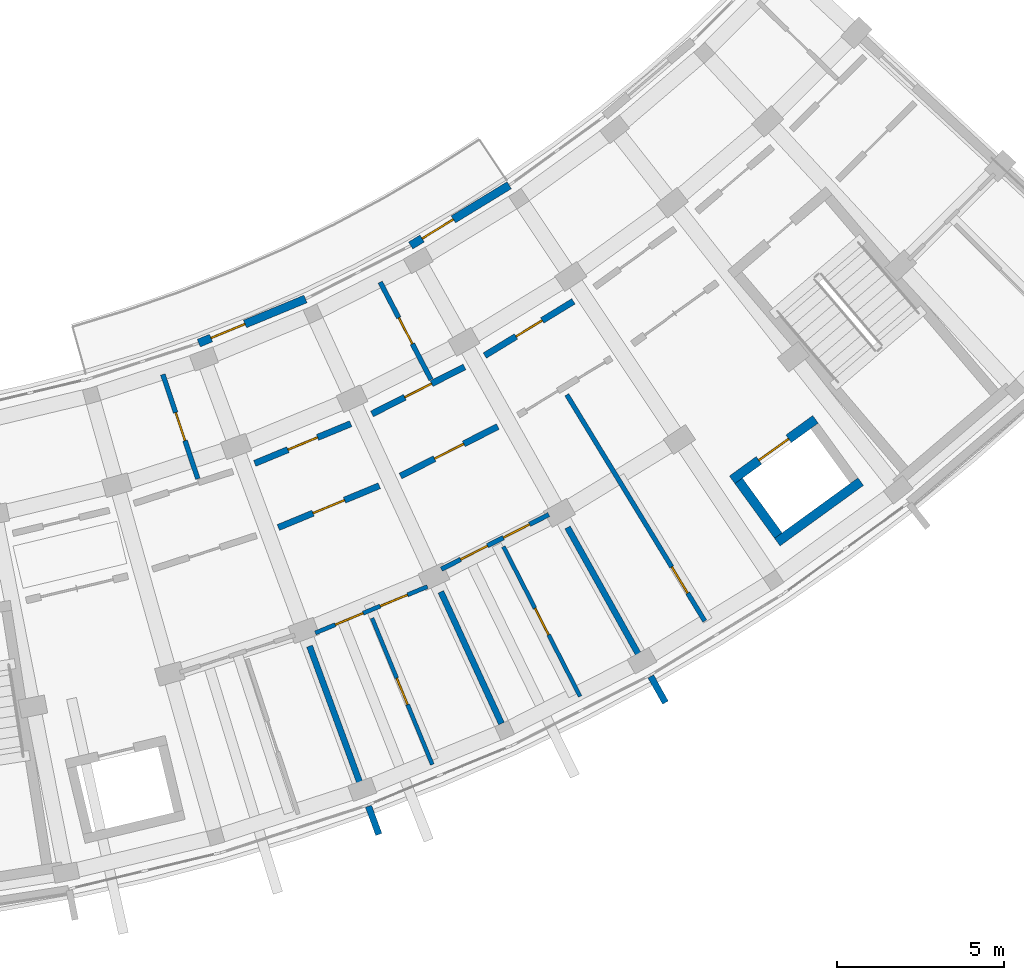
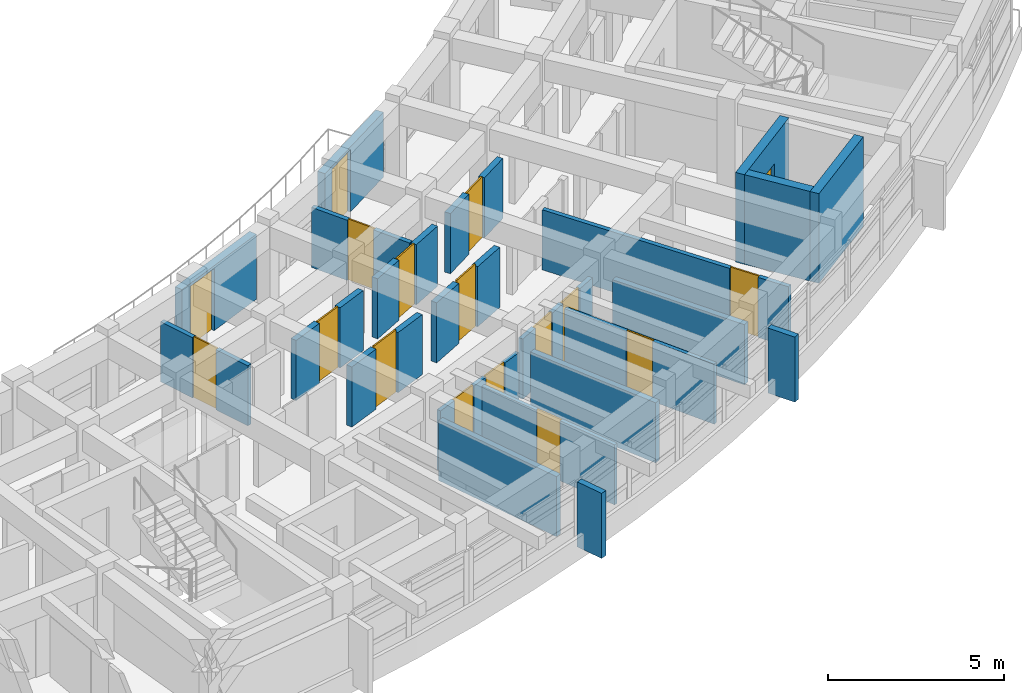
# One storey, part 38 of 56: 22 walls, 17 doors, 17 openings.
"""IFC4 building model written with IfcOpenShell, lengths in metres."""

from ifc_helpers import new_model, si_unit, direction, frame, frame_2d, origin, place, context, subcontext, project, spatial, rectangle, extrude, material, layer, layer_set, type_object, element, fill, save


model = new_model("IFC4")

# Units and contexts
model_context = context("Model", 3, precision=1e-05, world=origin(), true_north=direction((0.0, 1.0)))
body_context = subcontext(model_context, "Body", "Model", "MODEL_VIEW")
ifc_project = project(units=[si_unit("LENGTHUNIT", "METRE"), si_unit("AREAUNIT", "SQUARE_METRE"), si_unit("VOLUMEUNIT", "CUBIC_METRE"), si_unit("PLANEANGLEUNIT", "RADIAN"), si_unit("MASSUNIT", "GRAM", prefix="KILO")], contexts=[model_context])

# Site, building, storey
site_placement = place(None, origin())
site = spatial("IfcSite", under=ifc_project, at=site_placement, CompositionType="ELEMENT")
building_placement = place(site_placement, origin())
building = spatial("IfcBuilding", under=site, at=building_placement, Name="Zimvara Arc Housing Community", CompositionType="ELEMENT")
storey_placement = place(building_placement, frame((0.0, 0.0, 11.199951171875)))
storey = spatial("IfcBuildingStorey", under=building, at=storey_placement, Name="L03", CompositionType="ELEMENT", Elevation=11.199951171875)

# Walls
ifc_material_1 = material(Name="Board-Marked Fair-Faced Concrete C35/45", Category="concrete")
ifc_layer_1 = layer(ifc_material_1, 0.195068359375)
ifc_layer_set_1 = layer_set([ifc_layer_1], Name="Board-Marked Fair-Faced Concrete C35/45")
wall_type_1 = type_object("IfcWallType", Name="EWL-PARA-195", PredefinedType="PARAPET", material=ifc_layer_set_1)
for number, where, z_axis, x_axis, name in (
    (1, (146.49755859375, 54.0947265625, 0.0), (0.0, 0.0, 1.0), (0.34529052391, -0.938495846607, 0.0), "finwall:blkD:L03:out:b4"),
    (2, (154.968505859375, 57.990966796875, 0.0), (0.0, 0.0, 1.0), (0.487967253808, -0.872861935939, 0.0), "finwall:blkD:L03:out:b6"),
):
    element("IfcWall", number, at=place(storey_placement, frame(where, z_axis=z_axis, x_axis=x_axis)), inside=storey, type_object=wall_type_1, Name=name, PredefinedType="PARAPET", context=body_context, shape_type="SweptSolid", body=[
        extrude(rectangle(XDim=0.900146484375, YDim=0.195068359375, at=frame_2d((0.4501953125, 0.0))), origin(), (0.0, 0.0, 1.0), 2.25),
    ])

# Wall, opening, door
ifc_material_2 = material(Name="Pigmented Fair-Faced Concrete C35/45", Category="concrete")
ifc_layer_2 = layer(ifc_material_2, 0.2451171875)
ifc_layer_set_2 = layer_set([ifc_layer_2], Name="Pigmented Fair-Faced Concrete C35/45")
wall_type_2 = type_object("IfcWallType", Name="EWL-PIGM-245", PredefinedType="SOLIDWALL", material=ifc_layer_set_2)
wall_1_placement = place(storey_placement, frame((141.40576171875, 67.9921875, 0.0), z_axis=(0.0, 0.0, 1.0), x_axis=(0.924221949388, 0.381855716561, 0.0)))
wall_1 = element("IfcWall", 3, at=wall_1_placement, inside=storey, type_object=wall_type_2, Name="ewall:blkD:L03:in:b4", PredefinedType="SOLIDWALL", context=body_context, shape_type="SweptSolid", body=[
    extrude(rectangle(XDim=3.46337890625, YDim=0.2451171875, at=frame_2d((1.731689453125, 0.0))), origin(), (0.0, 0.0, 1.0), 2.25),
])
opening_1_placement = place(wall_1_placement, frame((0.39990234375, 0.0, 0.0)))
opening_1 = element("IfcOpeningElement", 4, at=opening_1_placement, cuts=wall_1, Name="Opening ED06", PredefinedType="OPENING", context=body_context, shape_type="SweptSolid", body=[
    extrude(rectangle(XDim=1.10009765625, YDim=2.14990234375, at=frame_2d((0.550048828125, 1.074951171875))), frame((0.0, 0.132568359375, 0.0), z_axis=(0.0, -1.0, 0.0), x_axis=(1.0, 0.0, 0.0)), (0.0, 0.0, 1.0), 0.26513671875),
])
ifc_material_3 = material(Name="Anodised Aluminium AW-6063", Category="aluminium")
door_type_1 = type_object("IfcDoorType", Name="EDR-TERR-1100x2150", OperationType="NOTDEFINED", PredefinedType="DOOR", material=ifc_material_3)
door_1_placement = place(opening_1_placement, origin())
door_1 = element("IfcDoor", 5, at=door_1_placement, inside=storey, type_object=door_type_1, Name="edoor:blkD:L03:bal_in:b4", OperationType="SINGLE_SWING_RIGHT", OverallHeight=2.14990234375, OverallWidth=1.10009765625, PredefinedType="DOOR", context=body_context, shape_type="SweptSolid", body=[
    extrude(rectangle(XDim=1.10009765625, YDim=2.14990234375, at=frame_2d((0.550048828125, 1.074951171875))), frame((0.0, 0.02490234375, 0.0), z_axis=(0.0, -1.0, 0.0), x_axis=(1.0, 0.0, 0.0)), (0.0, 0.0, 1.0), 0.050048828125),
])
fill(opening_1, door_1)

wall_2_placement = place(storey_placement, frame((147.765380859375, 70.920654296875, 0.0), z_axis=(0.0, 0.0, 1.0), x_axis=(0.85310231885, 0.521743647371, 0.0)))
wall_2 = element("IfcWall", 6, at=wall_2_placement, inside=storey, type_object=wall_type_2, Name="ewall:blkD:L03:in:b6", PredefinedType="SOLIDWALL", context=body_context, shape_type="SweptSolid", body=[
    extrude(rectangle(XDim=3.463623046875, YDim=0.2451171875, at=frame_2d((1.73193359375, 0.0))), origin(), (0.0, 0.0, 1.0), 2.25),
])
opening_2_placement = place(wall_2_placement, frame((0.39990234375, 0.0, 0.0)))
opening_2 = element("IfcOpeningElement", 7, at=opening_2_placement, cuts=wall_2, Name="Opening ED06", PredefinedType="OPENING", context=body_context, shape_type="SweptSolid", body=[
    extrude(rectangle(XDim=1.10009765625, YDim=2.14990234375, at=frame_2d((0.550048828125, 1.074951171875))), frame((0.0, 0.132568359375, 0.0), z_axis=(0.0, -1.0, 0.0), x_axis=(1.0, 0.0, 0.0)), (0.0, 0.0, 1.0), 0.26513671875),
])
door_2_placement = place(opening_2_placement, origin())
door_2 = element("IfcDoor", 8, at=door_2_placement, inside=storey, type_object=door_type_1, Name="edoor:blkD:L03:bal_in:b6", OperationType="SINGLE_SWING_RIGHT", OverallHeight=2.14990234375, OverallWidth=1.10009765625, PredefinedType="DOOR", context=body_context, shape_type="SweptSolid", body=[
    extrude(rectangle(XDim=1.10009765625, YDim=2.14990234375, at=frame_2d((0.550048828125, 1.074951171875))), frame((0.0, 0.02490234375, 0.0), z_axis=(0.0, -1.0, 0.0), x_axis=(1.0, 0.0, 0.0)), (0.0, 0.0, 1.0), 0.050048828125),
])
fill(opening_2, door_2)

ifc_material_4 = material(Name="Concrete C35/45", Category="concrete")
ifc_layer_3 = layer(ifc_material_4, 0.18994140625)
ifc_layer_set_3 = layer_set([ifc_layer_3], Name="Concrete C35/45")
wall_type_3 = type_object("IfcWallType", Name="IWL-CORR-190", PredefinedType="SOLIDWALL", material=ifc_layer_set_3)
wall_3_placement = place(storey_placement, frame((143.792724609375, 62.458984375, 0.0), z_axis=(0.0, 0.0, 1.0), x_axis=(0.924214561665, 0.381873596896, 0.0)))
wall_3 = element("IfcWall", 9, at=wall_3_placement, inside=storey, type_object=wall_type_3, Name="iwall:blkD:L03:corr_out:b4", PredefinedType="SOLIDWALL", context=body_context, shape_type="SweptSolid", body=[
    extrude(rectangle(XDim=3.277099609375, YDim=0.18994140625, at=frame_2d((1.638671875, 0.0))), origin(), (0.0, 0.0, 1.0), 2.080078125),
])
opening_3_placement = place(wall_3_placement, frame((1.12841796875, 0.0, 0.0)))
opening_3 = element("IfcOpeningElement", 10, at=opening_3_placement, cuts=wall_3, Name="Opening FD-FL2", PredefinedType="OPENING", context=body_context, shape_type="SweptSolid", body=[
    extrude(rectangle(XDim=1.02001953125, YDim=2.14990234375, at=frame_2d((0.510009765625, 1.074951171875))), frame((0.0, 0.10498046875, 0.0), z_axis=(0.0, -1.0, 0.0), x_axis=(1.0, 0.0, 0.0)), (0.0, 0.0, 1.0), 0.2099609375),
])
ifc_material_5 = material(Name="Mozambican Hardwood", Category="wood")
door_type_2 = type_object("IfcDoorType", Name="IDR-FLAT-1020x2150", OperationType="NOTDEFINED", PredefinedType="DOOR", material=ifc_material_5)
door_3_placement = place(opening_3_placement, origin())
door_3 = element("IfcDoor", 11, at=door_3_placement, inside=storey, type_object=door_type_2, Name="idoor:blkD:L03:flat:b4", OperationType="SINGLE_SWING_LEFT", OverallHeight=2.14990234375, OverallWidth=1.02001953125, PredefinedType="DOOR", context=body_context, shape_type="SweptSolid", body=[
    extrude(rectangle(XDim=1.02001953125, YDim=2.14990234375, at=frame_2d((0.510009765625, 1.074951171875))), frame((0.0, 0.02490234375, 0.0), z_axis=(0.0, -1.0, 0.0), x_axis=(1.0, 0.0, 0.0)), (0.0, 0.0, 1.0), 0.050048828125),
])
fill(opening_3, door_3)

wall_4_placement = place(storey_placement, frame((143.0849609375, 64.3828125, 0.0), z_axis=(0.0, 0.0, 1.0), x_axis=(0.924213340202, 0.381876553081, 0.0)))
wall_4 = element("IfcWall", 12, at=wall_4_placement, inside=storey, type_object=wall_type_3, Name="iwall:blkD:L03:corr_in:b4", PredefinedType="SOLIDWALL", context=body_context, shape_type="SweptSolid", body=[
    extrude(rectangle(XDim=3.115966796875, YDim=0.18994140625, at=frame_2d((1.55810546875, 0.0))), origin(), (0.0, 0.0, 1.0), 2.080078125),
])
opening_4_placement = place(wall_4_placement, frame((1.077880859375, 0.0, 0.0)))
opening_4 = element("IfcOpeningElement", 13, at=opening_4_placement, cuts=wall_4, Name="Opening D04", PredefinedType="OPENING", context=body_context, shape_type="SweptSolid", body=[
    extrude(rectangle(XDim=0.9599609375, YDim=2.10009765625, at=frame_2d((0.47998046875, 1.050048828125))), frame((0.0, 0.10498046875, 0.0), z_axis=(0.0, -1.0, 0.0), x_axis=(1.0, 0.0, 0.0)), (0.0, 0.0, 1.0), 0.2099609375),
])
ifc_material_6 = material(Name="Mozambican Hardwood", Category="wood")
door_type_3 = type_object("IfcDoorType", Name="IDR-RM-0960x2100", OperationType="NOTDEFINED", PredefinedType="DOOR", material=ifc_material_6)
door_4_placement = place(opening_4_placement, origin())
door_4 = element("IfcDoor", 14, at=door_4_placement, inside=storey, type_object=door_type_3, Name="idoor:blkD:L03:in_rm:b4", OperationType="SINGLE_SWING_RIGHT", OverallHeight=2.10009765625, OverallWidth=0.9599609375, PredefinedType="DOOR", context=body_context, shape_type="SweptSolid", body=[
    extrude(rectangle(XDim=0.9599609375, YDim=2.10009765625, at=frame_2d((0.47998046875, 1.050048828125))), frame((0.0, 0.02490234375, 0.0), z_axis=(0.0, -1.0, 0.0), x_axis=(1.0, 0.0, 0.0)), (0.0, 0.0, 1.0), 0.050048828125),
])
fill(opening_4, door_4)

wall_5_placement = place(storey_placement, frame((147.45703125, 64.002685546875, 0.0), z_axis=(0.0, 0.0, 1.0), x_axis=(0.891412167565, 0.45319349898, 0.0)))
wall_5 = element("IfcWall", 15, at=wall_5_placement, inside=storey, type_object=wall_type_3, Name="iwall:blkD:L03:corr_out:b5", PredefinedType="SOLIDWALL", context=body_context, shape_type="SweptSolid", body=[
    extrude(rectangle(XDim=3.277099609375, YDim=0.18994140625, at=frame_2d((1.638671875, 0.0))), origin(), (0.0, 0.0, 1.0), 2.080078125),
])
opening_5_placement = place(wall_5_placement, frame((1.1484375, 0.0, 0.0)))
opening_5 = element("IfcOpeningElement", 16, at=opening_5_placement, cuts=wall_5, Name="Opening FD-FL1", PredefinedType="OPENING", context=body_context, shape_type="SweptSolid", body=[
    extrude(rectangle(XDim=0.97998046875, YDim=2.14990234375, at=frame_2d((0.489990234375, 1.074951171875))), frame((0.0, 0.10498046875, 0.0), z_axis=(0.0, -1.0, 0.0), x_axis=(1.0, 0.0, 0.0)), (0.0, 0.0, 1.0), 0.2099609375),
])
ifc_material_7 = material(Name="Mozambican Hardwood", Category="wood")
door_type_4 = type_object("IfcDoorType", Name="IDR-FLAT-0980x2150", OperationType="NOTDEFINED", PredefinedType="DOOR", material=ifc_material_7)
door_5_placement = place(opening_5_placement, origin())
door_5 = element("IfcDoor", 17, at=door_5_placement, inside=storey, type_object=door_type_4, Name="idoor:blkD:L03:flat:b5", OperationType="SINGLE_SWING_RIGHT", OverallHeight=2.14990234375, OverallWidth=0.97998046875, PredefinedType="DOOR", context=body_context, shape_type="SweptSolid", body=[
    extrude(rectangle(XDim=0.97998046875, YDim=2.14990234375, at=frame_2d((0.489990234375, 1.074951171875))), frame((0.0, 0.02490234375, 0.0), z_axis=(0.0, -1.0, 0.0), x_axis=(1.0, 0.0, 0.0)), (0.0, 0.0, 1.0), 0.050048828125),
])
fill(opening_5, door_5)

wall_6_placement = place(storey_placement, frame((146.600341796875, 65.865234375, 0.0), z_axis=(0.0, 0.0, 1.0), x_axis=(0.891414101388, 0.453189695212, 0.0)))
wall_6 = element("IfcWall", 18, at=wall_6_placement, inside=storey, type_object=wall_type_3, Name="iwall:blkD:L03:corr_in:b5", PredefinedType="SOLIDWALL", context=body_context, shape_type="SweptSolid", body=[
    extrude(rectangle(XDim=3.115966796875, YDim=0.18994140625, at=frame_2d((1.55810546875, 0.0))), origin(), (0.0, 0.0, 1.0), 2.080078125),
])
opening_6_placement = place(wall_6_placement, frame((1.10791015625, 0.0, 0.0)))
opening_6 = element("IfcOpeningElement", 19, at=opening_6_placement, cuts=wall_6, Name="Opening D01", PredefinedType="OPENING", context=body_context, shape_type="SweptSolid", body=[
    extrude(rectangle(XDim=0.89990234375, YDim=2.10009765625, at=frame_2d((0.449951171875, 1.050048828125))), frame((0.0, 0.10498046875, 0.0), z_axis=(0.0, -1.0, 0.0), x_axis=(1.0, 0.0, 0.0)), (0.0, 0.0, 1.0), 0.2099609375),
])
ifc_material_8 = material(Name="Mozambican Hardwood", Category="wood")
door_type_5 = type_object("IfcDoorType", Name="IDR-RM-0900x2100", OperationType="NOTDEFINED", PredefinedType="DOOR", material=ifc_material_8)
door_6_placement = place(opening_6_placement, origin())
door_6 = element("IfcDoor", 20, at=door_6_placement, inside=storey, type_object=door_type_5, Name="idoor:blkD:L03:in_rm:b5", OperationType="SINGLE_SWING_LEFT", OverallHeight=2.10009765625, OverallWidth=0.89990234375, PredefinedType="DOOR", context=body_context, shape_type="SweptSolid", body=[
    extrude(rectangle(XDim=0.89990234375, YDim=2.10009765625, at=frame_2d((0.449951171875, 1.050048828125))), frame((0.0, 0.02490234375, 0.0), z_axis=(0.0, -1.0, 0.0), x_axis=(1.0, 0.0, 0.0)), (0.0, 0.0, 1.0), 0.050048828125),
])
fill(opening_6, door_6)

wall_7_placement = place(storey_placement, frame((149.988525390625, 67.61865234375, 0.0), z_axis=(0.0, 0.0, 1.0), x_axis=(0.853121049608, 0.5217130195, 0.0)))
wall_7 = element("IfcWall", 21, at=wall_7_placement, inside=storey, type_object=wall_type_3, Name="iwall:blkD:L03:corr_in:b6", PredefinedType="SOLIDWALL", context=body_context, shape_type="SweptSolid", body=[
    extrude(rectangle(XDim=3.1162109375, YDim=0.18994140625, at=frame_2d((1.55810546875, 0.0))), origin(), (0.0, 0.0, 1.0), 2.080078125),
])
opening_7_placement = place(wall_7_placement, frame((1.097900390625, 0.0, 0.0)))
opening_7 = element("IfcOpeningElement", 22, at=opening_7_placement, cuts=wall_7, Name="Opening D02", PredefinedType="OPENING", context=body_context, shape_type="SweptSolid", body=[
    extrude(rectangle(XDim=0.919921875, YDim=2.10009765625, at=frame_2d((0.4599609375, 1.050048828125))), frame((0.0, 0.10498046875, 0.0), z_axis=(0.0, -1.0, 0.0), x_axis=(1.0, 0.0, 0.0)), (0.0, 0.0, 1.0), 0.2099609375),
])
ifc_material_9 = material(Name="Mozambican Hardwood", Category="wood")
door_type_6 = type_object("IfcDoorType", Name="IDR-RM-0920x2100", OperationType="NOTDEFINED", PredefinedType="DOOR", material=ifc_material_9)
door_7_placement = place(opening_7_placement, origin())
door_7 = element("IfcDoor", 23, at=door_7_placement, inside=storey, type_object=door_type_6, Name="idoor:blkD:L03:in_rm:b6", OperationType="SINGLE_SWING_RIGHT", OverallHeight=2.10009765625, OverallWidth=0.919921875, PredefinedType="DOOR", context=body_context, shape_type="SweptSolid", body=[
    extrude(rectangle(XDim=0.919921875, YDim=2.10009765625, at=frame_2d((0.4599609375, 1.050048828125))), frame((0.0, 0.02490234375, 0.0), z_axis=(0.0, -1.0, 0.0), x_axis=(1.0, 0.0, 0.0)), (0.0, 0.0, 1.0), 0.050048828125),
])
fill(opening_7, door_7)

# Walls
ifc_material_10 = material(Name="Concrete C35/45", Category="concrete")
ifc_layer_4 = layer(ifc_material_10, 0.18505859375)
ifc_layer_set_4 = layer_set([ifc_layer_4], Name="Concrete C35/45")
wall_type_4 = type_object("IfcWallType", Name="IWL-FLAT-185", PredefinedType="SOLIDWALL", material=ifc_layer_set_4)
for number, where, z_axis, x_axis, name in (
    (24, (144.729736328125, 58.89990234375, 0.0), (0.0, 0.0, 1.0), (0.345273579683, -0.938502080537, 0.0), "iwall:blkD:L03:party:b4"),
    (25, (148.670166015625, 60.528076171875, 0.0), (0.0, 0.0, 1.0), (0.417837051164, -0.908521985796, 0.0), "iwall:blkD:L03:party:b5"),
    (26, (152.470703125, 62.46044921875, 0.0), (0.0, 0.0, 1.0), (0.487866639184, -0.872918176218, 0.0), "iwall:blkD:L03:party:b6"),
):
    element("IfcWall", number, at=place(storey_placement, frame(where, z_axis=z_axis, x_axis=x_axis)), inside=storey, type_object=wall_type_4, Name=name, PredefinedType="SOLIDWALL", context=body_context, shape_type="SweptSolid", body=[
        extrude(rectangle(XDim=4.35009765625, YDim=0.18505859375, at=frame_2d((2.175048828125, 0.0))), origin(), (0.0, 0.0, 1.0), 2.080078125),
    ])

# Wall, opening, door
ifc_material_11 = material(Name="Painted Acoustic Plasterboard")
ifc_layer_5 = layer(ifc_material_11, 0.1201171875)
ifc_layer_set_5 = layer_set([ifc_layer_5], Name="Painted Acoustic Plasterboard")
wall_type_5 = type_object("IfcWallType", Name="IWL-PART-120", PredefinedType="PARTITIONING", material=ifc_layer_set_5)
wall_8_placement = place(storey_placement, frame((146.605224609375, 59.73779296875, 0.0), z_axis=(0.0, 0.0, 1.0), x_axis=(0.380553327256, -0.924758976769, 0.0)))
wall_8 = element("IfcWall", 27, at=wall_8_placement, inside=storey, type_object=wall_type_5, Name="iwall:blkD:L03:bed_div:b4", PredefinedType="PARTITIONING", context=body_context, shape_type="SweptSolid", body=[
    extrude(rectangle(XDim=4.75, YDim=0.1201171875, at=frame_2d((2.375, 0.0))), origin(), (0.0, 0.0, 1.0), 2.080078125),
])
opening_8_placement = place(wall_8_placement, frame((1.949951171875, 0.0, 0.0)))
opening_8 = element("IfcOpeningElement", 28, at=opening_8_placement, cuts=wall_8, Name="Opening D11", PredefinedType="OPENING", context=body_context, shape_type="SweptSolid", body=[
    extrude(rectangle(XDim=0.85009765625, YDim=2.10009765625, at=frame_2d((0.425048828125, 1.050048828125))), frame((0.0, 0.070068359375, 0.0), z_axis=(0.0, -1.0, 0.0), x_axis=(1.0, 0.0, 0.0)), (0.0, 0.0, 1.0), 0.14013671875),
])
ifc_material_12 = material(Name="Mozambican Hardwood", Category="wood")
door_type_7 = type_object("IfcDoorType", Name="IDR-MOD-850x2060", OperationType="NOTDEFINED", PredefinedType="DOOR", material=ifc_material_12)
door_8_placement = place(opening_8_placement, origin())
door_8 = element("IfcDoor", 29, at=door_8_placement, inside=storey, type_object=door_type_7, Name="idoor:blkD:L03:bed_d:b4", OperationType="SINGLE_SWING_LEFT", OverallHeight=2.10009765625, OverallWidth=0.85009765625, PredefinedType="DOOR", context=body_context, shape_type="SweptSolid", body=[
    extrude(rectangle(XDim=0.85009765625, YDim=2.10009765625, at=frame_2d((0.425048828125, 1.050048828125))), frame((0.0, 0.02490234375, 0.0), z_axis=(0.0, -1.0, 0.0), x_axis=(1.0, 0.0, 0.0)), (0.0, 0.0, 1.0), 0.050048828125),
])
fill(opening_8, door_8)

wall_9_placement = place(storey_placement, frame((150.546875, 61.88427734375, 0.0), z_axis=(0.0, 0.0, 1.0), x_axis=(0.455778725258, -0.89009311513, 0.0)))
wall_9 = element("IfcWall", 30, at=wall_9_placement, inside=storey, type_object=wall_type_5, Name="iwall:blkD:L03:bed_div:b5", PredefinedType="PARTITIONING", context=body_context, shape_type="SweptSolid", body=[
    extrude(rectangle(XDim=5.050048828125, YDim=0.1201171875, at=frame_2d((2.52490234375, 0.0))), origin(), (0.0, 0.0, 1.0), 2.080078125),
])
opening_9_placement = place(wall_9_placement, frame((2.080078125, 0.0, 0.0)))
opening_9 = element("IfcOpeningElement", 31, at=opening_9_placement, cuts=wall_9, Name="Opening D12", PredefinedType="OPENING", context=body_context, shape_type="SweptSolid", body=[
    extrude(rectangle(XDim=0.889892578125, YDim=2.10009765625, at=frame_2d((0.44482421875, 1.050048828125))), frame((0.0, 0.070068359375, 0.0), z_axis=(0.0, -1.0, 0.0), x_axis=(1.0, 0.0, 0.0)), (0.0, 0.0, 1.0), 0.14013671875),
])
ifc_material_13 = material(Name="Mozambican Hardwood", Category="wood")
door_type_8 = type_object("IfcDoorType", Name="IDR-MOD-890x2140", OperationType="NOTDEFINED", PredefinedType="DOOR", material=ifc_material_13)
door_9_placement = place(opening_9_placement, origin())
door_9 = element("IfcDoor", 32, at=door_9_placement, inside=storey, type_object=door_type_8, Name="idoor:blkD:L03:bed_d:b5", OperationType="SINGLE_SWING_LEFT", OverallHeight=2.10009765625, OverallWidth=0.889892578125, PredefinedType="DOOR", context=body_context, shape_type="SweptSolid", body=[
    extrude(rectangle(XDim=0.889892578125, YDim=2.10009765625, at=frame_2d((0.44482421875, 1.050048828125))), frame((0.0, 0.02490234375, 0.0), z_axis=(0.0, -1.0, 0.0), x_axis=(1.0, 0.0, 0.0)), (0.0, 0.0, 1.0), 0.050048828125),
])
fill(opening_9, door_9)

# Wall, openings, doors
ifc_material_14 = material(Name="Painted Acoustic Plasterboard")
ifc_layer_6 = layer(ifc_material_14, 0.125)
ifc_layer_set_6 = layer_set([ifc_layer_6], Name="Painted Acoustic Plasterboard")
wall_type_6 = type_object("IfcWallType", Name="IWL-PART-125", PredefinedType="PARTITIONING", material=ifc_layer_set_6)
wall_10_placement = place(storey_placement, frame((144.9033203125, 59.2958984375, 0.0), z_axis=(0.0, 0.0, 1.0), x_axis=(0.924207914011, 0.381889685223, 0.0)))
wall_10 = element("IfcWall", 33, at=wall_10_placement, inside=storey, type_object=wall_type_6, Name="iwall:blkD:L03:srv:b4", PredefinedType="PARTITIONING", context=body_context, shape_type="SweptSolid", body=[
    extrude(rectangle(XDim=3.64013671875, YDim=0.125, at=frame_2d((1.820068359375, 0.0))), origin(), (0.0, 0.0, 1.0), 2.080078125),
])
opening_10_placement = place(wall_10_placement, frame((0.64990234375, 0.0, 0.0)))
opening_10 = element("IfcOpeningElement", 34, at=opening_10_placement, cuts=wall_10, Name="Opening D01", PredefinedType="OPENING", context=body_context, shape_type="SweptSolid", body=[
    extrude(rectangle(XDim=0.89990234375, YDim=2.10009765625, at=frame_2d((0.449951171875, 1.050048828125))), frame((0.0, 0.072509765625, 0.0), z_axis=(0.0, -1.0, 0.0), x_axis=(1.0, 0.0, 0.0)), (0.0, 0.0, 1.0), 0.14501953125),
])
opening_11_placement = place(wall_10_placement, frame((2.110107421875, 0.0, 0.0)))
opening_11 = element("IfcOpeningElement", 35, at=opening_11_placement, cuts=wall_10, Name="Opening D05", PredefinedType="OPENING", context=body_context, shape_type="SweptSolid", body=[
    extrude(rectangle(XDim=0.8798828125, YDim=2.10009765625, at=frame_2d((0.43994140625, 1.050048828125))), frame((0.0, 0.072509765625, 0.0), z_axis=(0.0, -1.0, 0.0), x_axis=(1.0, 0.0, 0.0)), (0.0, 0.0, 1.0), 0.14501953125),
])
door_10_placement = place(opening_10_placement, origin())
door_10 = element("IfcDoor", 36, at=door_10_placement, inside=storey, type_object=door_type_5, Name="idoor:blkD:L03:kit_liv:b4", OperationType="SINGLE_SWING_LEFT", OverallHeight=2.10009765625, OverallWidth=0.89990234375, PredefinedType="DOOR", context=body_context, shape_type="SweptSolid", body=[
    extrude(rectangle(XDim=0.89990234375, YDim=2.10009765625, at=frame_2d((0.449951171875, 1.050048828125))), frame((0.0, 0.02490234375, 0.0), z_axis=(0.0, -1.0, 0.0), x_axis=(1.0, 0.0, 0.0)), (0.0, 0.0, 1.0), 0.050048828125),
])
fill(opening_10, door_10)
ifc_material_15 = material(Name="Mozambican Hardwood", Category="wood")
door_type_9 = type_object("IfcDoorType", Name="IDR-WC-0880x2100", OperationType="NOTDEFINED", PredefinedType="DOOR", material=ifc_material_15)
door_11_placement = place(opening_11_placement, origin())
door_11 = element("IfcDoor", 37, at=door_11_placement, inside=storey, type_object=door_type_9, Name="idoor:blkD:L03:bath_d:b4", OperationType="SINGLE_SWING_RIGHT", OverallHeight=2.10009765625, OverallWidth=0.8798828125, PredefinedType="DOOR", context=body_context, shape_type="SweptSolid", body=[
    extrude(rectangle(XDim=0.8798828125, YDim=2.10009765625, at=frame_2d((0.43994140625, 1.050048828125))), frame((0.0, 0.02490234375, 0.0), z_axis=(0.0, -1.0, 0.0), x_axis=(1.0, 0.0, 0.0)), (0.0, 0.0, 1.0), 0.050048828125),
])
fill(opening_11, door_11)

ifc_material_16 = material(Name="Painted Acoustic Plasterboard")
ifc_layer_7 = layer(ifc_material_16, 0.139892578125)
ifc_layer_set_7 = layer_set([ifc_layer_7], Name="Painted Acoustic Plasterboard")
wall_type_7 = type_object("IfcWallType", Name="IWL-PART-140", PredefinedType="PARTITIONING", material=ifc_layer_set_7)
wall_11_placement = place(storey_placement, frame((148.686767578125, 61.208984375, 0.0), z_axis=(0.0, 0.0, 1.0), x_axis=(0.891396224028, 0.453224857866, 0.0)))
wall_11 = element("IfcWall", 38, at=wall_11_placement, inside=storey, type_object=wall_type_7, Name="iwall:blkD:L03:srv:b5", PredefinedType="PARTITIONING", context=body_context, shape_type="SweptSolid", body=[
    extrude(rectangle(XDim=3.61669921875, YDim=0.139892578125, at=frame_2d((1.808349609375, 0.0))), origin(), (0.0, 0.0, 1.0), 2.080078125),
])
opening_12_placement = place(wall_11_placement, frame((0.64990234375, 0.0, 0.0)))
opening_12 = element("IfcOpeningElement", 39, at=opening_12_placement, cuts=wall_11, Name="Opening D01", PredefinedType="OPENING", context=body_context, shape_type="SweptSolid", body=[
    extrude(rectangle(XDim=0.89990234375, YDim=2.10009765625, at=frame_2d((0.449951171875, 1.050048828125))), frame((0.0, 0.079833984375, 0.0), z_axis=(0.0, -1.0, 0.0), x_axis=(1.0, 0.0, 0.0)), (0.0, 0.0, 1.0), 0.159912109375),
])
opening_13_placement = place(wall_11_placement, frame((2.08642578125, 0.0, 0.0)))
opening_13 = element("IfcOpeningElement", 40, at=opening_13_placement, cuts=wall_11, Name="Opening D05", PredefinedType="OPENING", context=body_context, shape_type="SweptSolid", body=[
    extrude(rectangle(XDim=0.8798828125, YDim=2.10009765625, at=frame_2d((0.43994140625, 1.050048828125))), frame((0.0, 0.079833984375, 0.0), z_axis=(0.0, -1.0, 0.0), x_axis=(1.0, 0.0, 0.0)), (0.0, 0.0, 1.0), 0.159912109375),
])
door_12_placement = place(opening_12_placement, origin())
door_12 = element("IfcDoor", 41, at=door_12_placement, inside=storey, type_object=door_type_5, Name="idoor:blkD:L03:kit_liv:b5", OperationType="SINGLE_SWING_LEFT", OverallHeight=2.10009765625, OverallWidth=0.89990234375, PredefinedType="DOOR", context=body_context, shape_type="SweptSolid", body=[
    extrude(rectangle(XDim=0.89990234375, YDim=2.10009765625, at=frame_2d((0.449951171875, 1.050048828125))), frame((0.0, 0.02490234375, 0.0), z_axis=(0.0, -1.0, 0.0), x_axis=(1.0, 0.0, 0.0)), (0.0, 0.0, 1.0), 0.050048828125),
])
fill(opening_12, door_12)
door_13_placement = place(opening_13_placement, origin())
door_13 = element("IfcDoor", 42, at=door_13_placement, inside=storey, type_object=door_type_9, Name="idoor:blkD:L03:bath_d:b5", OperationType="SINGLE_SWING_RIGHT", OverallHeight=2.10009765625, OverallWidth=0.8798828125, PredefinedType="DOOR", context=body_context, shape_type="SweptSolid", body=[
    extrude(rectangle(XDim=0.8798828125, YDim=2.10009765625, at=frame_2d((0.43994140625, 1.050048828125))), frame((0.0, 0.02490234375, 0.0), z_axis=(0.0, -1.0, 0.0), x_axis=(1.0, 0.0, 0.0)), (0.0, 0.0, 1.0), 0.050048828125),
])
fill(opening_13, door_13)

# Wall, opening, door
wall_12_placement = place(storey_placement, frame((152.448486328125, 66.44189453125, 0.0), z_axis=(0.0, 0.0, 1.0), x_axis=(0.520511872578, -0.853854431683, 0.0)))
wall_12 = element("IfcWall", 43, at=wall_12_placement, inside=storey, type_object=wall_type_7, Name="iwall:blkD:L03:amen_div:b6", PredefinedType="PARTITIONING", context=body_context, shape_type="SweptSolid", body=[
    extrude(rectangle(XDim=7.9501953125, YDim=0.139892578125, at=frame_2d((3.97509765625, 0.0))), origin(), (0.0, 0.0, 1.0), 2.080078125),
])
opening_14_placement = place(wall_12_placement, frame((6.050048828125, 0.0, 0.0)))
opening_14 = element("IfcOpeningElement", 44, at=opening_14_placement, cuts=wall_12, Name="Opening D02", PredefinedType="OPENING", context=body_context, shape_type="SweptSolid", body=[
    extrude(rectangle(XDim=0.919921875, YDim=2.10009765625, at=frame_2d((0.4599609375, 1.050048828125))), frame((0.0, 0.079833984375, 0.0), z_axis=(0.0, -1.0, 0.0), x_axis=(1.0, 0.0, 0.0)), (0.0, 0.0, 1.0), 0.159912109375),
])
door_14_placement = place(opening_14_placement, origin())
door_14 = element("IfcDoor", 45, at=door_14_placement, inside=storey, type_object=door_type_6, Name="idoor:blkD:L03:laund_d:b6", OperationType="SINGLE_SWING_LEFT", OverallHeight=2.10009765625, OverallWidth=0.919921875, PredefinedType="DOOR", context=body_context, shape_type="SweptSolid", body=[
    extrude(rectangle(XDim=0.919921875, YDim=2.10009765625, at=frame_2d((0.4599609375, 1.050048828125))), frame((0.0, 0.02490234375, 0.0), z_axis=(0.0, -1.0, 0.0), x_axis=(1.0, 0.0, 0.0)), (0.0, 0.0, 1.0), 0.050048828125),
])
fill(opening_14, door_14)

ifc_material_17 = material(Name="Painted Acoustic Plasterboard")
ifc_layer_8 = layer(ifc_material_17, 0.14501953125)
ifc_layer_set_8 = layer_set([ifc_layer_8], Name="Painted Acoustic Plasterboard")
wall_type_8 = type_object("IfcWallType", Name="IWL-WET-145", PredefinedType="PARTITIONING", material=ifc_layer_set_8)
wall_13_placement = place(storey_placement, frame((140.328369140625, 67.050537109375, 0.0), z_axis=(0.0, 0.0, 1.0), x_axis=(0.317825321803, -0.948149284038, 0.0)))
wall_13 = element("IfcWall", 46, at=wall_13_placement, inside=storey, type_object=wall_type_8, Name="iwall:blkD:L03:ens:b3", PredefinedType="PARTITIONING", context=body_context, shape_type="SweptSolid", body=[
    extrude(rectangle(XDim=3.300048828125, YDim=0.14501953125, at=frame_2d((1.64990234375, 0.0))), origin(), (0.0, 0.0, 1.0), 2.080078125),
])
opening_15_placement = place(wall_13_placement, frame((1.2099609375, 0.0, 0.0)))
opening_15 = element("IfcOpeningElement", 47, at=opening_15_placement, cuts=wall_13, Name="Opening D05", PredefinedType="OPENING", context=body_context, shape_type="SweptSolid", body=[
    extrude(rectangle(XDim=0.8798828125, YDim=2.10009765625, at=frame_2d((0.43994140625, 1.050048828125))), frame((0.0, 0.08251953125, 0.0), z_axis=(0.0, -1.0, 0.0), x_axis=(1.0, 0.0, 0.0)), (0.0, 0.0, 1.0), 0.1650390625),
])
door_15_placement = place(opening_15_placement, origin())
door_15 = element("IfcDoor", 48, at=door_15_placement, inside=storey, type_object=door_type_9, Name="idoor:blkD:L03:ens_d:b3", OperationType="SINGLE_SWING_LEFT", OverallHeight=2.10009765625, OverallWidth=0.8798828125, PredefinedType="DOOR", context=body_context, shape_type="SweptSolid", body=[
    extrude(rectangle(XDim=0.8798828125, YDim=2.10009765625, at=frame_2d((0.43994140625, 1.050048828125))), frame((0.0, 0.02490234375, 0.0), z_axis=(0.0, -1.0, 0.0), x_axis=(1.0, 0.0, 0.0)), (0.0, 0.0, 1.0), 0.050048828125),
])
fill(opening_15, door_15)

wall_14_placement = place(storey_placement, frame((146.8486328125, 69.822265625, 0.0), z_axis=(0.0, 0.0, 1.0), x_axis=(0.462242343884, -0.886753638572, 0.0)))
wall_14 = element("IfcWall", 49, at=wall_14_placement, inside=storey, type_object=wall_type_8, Name="iwall:blkD:L03:ens:b5", PredefinedType="PARTITIONING", context=body_context, shape_type="SweptSolid", body=[
    extrude(rectangle(XDim=3.300048828125, YDim=0.14501953125, at=frame_2d((1.64990234375, 0.0))), origin(), (0.0, 0.0, 1.0), 2.080078125),
])
opening_16_placement = place(wall_14_placement, frame((1.2099609375, 0.0, 0.0)))
opening_16 = element("IfcOpeningElement", 50, at=opening_16_placement, cuts=wall_14, Name="Opening D05", PredefinedType="OPENING", context=body_context, shape_type="SweptSolid", body=[
    extrude(rectangle(XDim=0.8798828125, YDim=2.10009765625, at=frame_2d((0.43994140625, 1.050048828125))), frame((0.0, 0.08251953125, 0.0), z_axis=(0.0, -1.0, 0.0), x_axis=(1.0, 0.0, 0.0)), (0.0, 0.0, 1.0), 0.1650390625),
])
door_16_placement = place(opening_16_placement, origin())
door_16 = element("IfcDoor", 51, at=door_16_placement, inside=storey, type_object=door_type_9, Name="idoor:blkD:L03:ens_d:b5", OperationType="SINGLE_SWING_RIGHT", OverallHeight=2.10009765625, OverallWidth=0.8798828125, PredefinedType="DOOR", context=body_context, shape_type="SweptSolid", body=[
    extrude(rectangle(XDim=0.8798828125, YDim=2.10009765625, at=frame_2d((0.43994140625, 1.050048828125))), frame((0.0, 0.02490234375, 0.0), z_axis=(0.0, -1.0, 0.0), x_axis=(1.0, 0.0, 0.0)), (0.0, 0.0, 1.0), 0.050048828125),
])
fill(opening_16, door_16)

ifc_material_18 = material(Name="Concrete C40/50", Category="concrete")
ifc_layer_9 = layer(ifc_material_18, 0.280029296875)
ifc_layer_set_9 = layer_set([ifc_layer_9], Name="Concrete C40/50")
wall_type_9 = type_object("IfcWallType", Name="WL-CORE-280", PredefinedType="SHEAR", material=ifc_layer_set_9)
wall_15_placement = place(storey_placement, frame((157.408935546875, 63.890380859375, 0.0), z_axis=(0.0, 0.0, 1.0), x_axis=(0.809510936031, 0.587104798521, 0.0)))
wall_15 = element("IfcWall", 52, at=wall_15_placement, inside=storey, type_object=wall_type_9, Name="lwall:LP-D2:L03:front", PredefinedType="SHEAR", context=body_context, shape_type="SweptSolid", body=[
    extrude(rectangle(XDim=3.090087890625, YDim=0.280029296875, at=frame_2d((1.544921875, 0.0))), origin(), (0.0, 0.0, 1.0), 3.10009765625),
])
opening_17_placement = place(wall_15_placement, frame((0.9951171875, 0.0, 0.0)))
opening_17 = element("IfcOpeningElement", 53, at=opening_17_placement, cuts=wall_15, Name="Opening LD-LP-D2", PredefinedType="OPENING", context=body_context, shape_type="SweptSolid", body=[
    extrude(rectangle(XDim=1.10009765625, YDim=2.14990234375, at=frame_2d((0.550048828125, 1.074951171875))), frame((0.0, 0.14990234375, 0.0), z_axis=(0.0, -1.0, 0.0), x_axis=(1.0, 0.0, 0.0)), (0.0, 0.0, 1.0), 0.300048828125),
])
ifc_material_19 = material(Name="Anodised Aluminium AW-6063", Category="aluminium")
door_type_10 = type_object("IfcDoorType", Name="IDR-LD-1100x2150", OperationType="DOUBLE_DOOR_SLIDING", PredefinedType="DOOR", material=ifc_material_19)
door_17_placement = place(opening_17_placement, origin())
door_17 = element("IfcDoor", 54, at=door_17_placement, inside=storey, type_object=door_type_10, Name="Lift LP-D2 Sliding Landing Door L03", OperationType="DOUBLE_DOOR_SLIDING", OverallHeight=2.14990234375, OverallWidth=1.10009765625, PredefinedType="DOOR", context=body_context, shape_type="SweptSolid", body=[
    extrude(rectangle(XDim=1.10009765625, YDim=2.14990234375, at=frame_2d((0.550048828125, 1.074951171875))), frame((0.0, 0.02490234375, 0.0), z_axis=(0.0, -1.0, 0.0), x_axis=(1.0, 0.0, 0.0)), (0.0, 0.0, 1.0), 0.050048828125),
])
fill(opening_17, door_17)

# Walls
wall_16_placement = place(storey_placement, frame((158.76513671875, 62.0205078125, 0.0), z_axis=(0.0, 0.0, 1.0), x_axis=(0.809548485838, 0.587053020669, 0.0)))
element("IfcWall", 55, at=wall_16_placement, inside=storey, type_object=wall_type_9, Name="lwall:LP-D2:L03:back", PredefinedType="SHEAR", context=body_context, shape_type="SweptSolid", body=[
    extrude(rectangle(XDim=3.08984375, YDim=0.280029296875, at=frame_2d((1.544921875, 0.0))), origin(), (0.0, 0.0, 1.0), 3.10009765625),
])
wall_17_placement = place(storey_placement, frame((157.6044921875, 63.859375, 0.0), z_axis=(0.0, 0.0, 1.0), x_axis=(0.587127188998, -0.809494696671, 0.0)))
element("IfcWall", 56, at=wall_17_placement, inside=storey, type_object=wall_type_9, Name="lwall:LP-D2:L03:left", PredefinedType="SHEAR", context=body_context, shape_type="SweptSolid", body=[
    extrude(rectangle(XDim=2.030029296875, YDim=0.280029296875, at=frame_2d((1.01513671875, 0.0))), origin(), (0.0, 0.0, 1.0), 3.10009765625),
])

save(model, "model.ifc")
